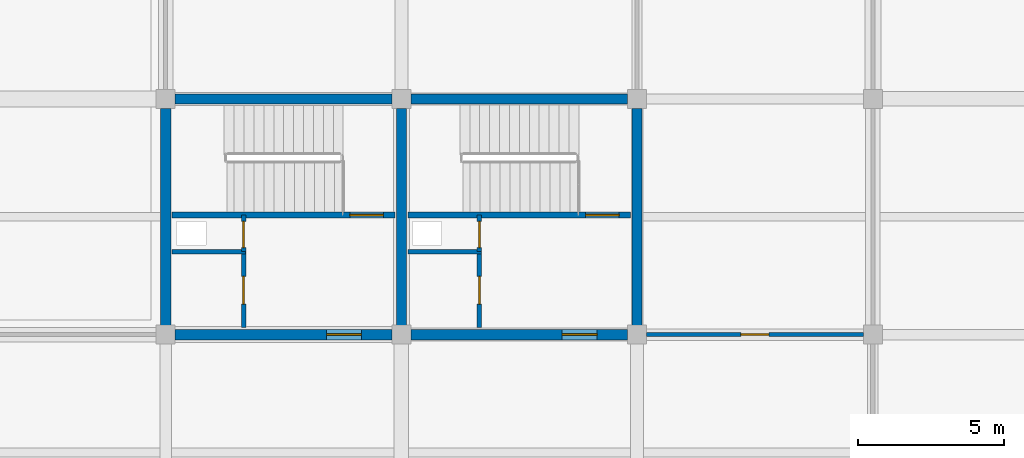
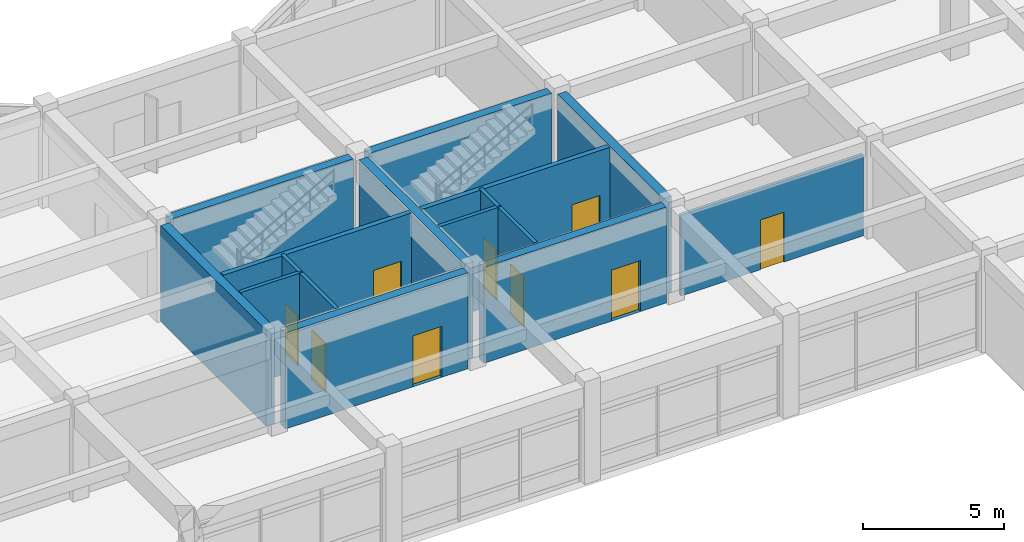
# One storey, part 68 of 89: 16 walls, 9 doors, 9 openings.
"""IFC4 building model written with IfcOpenShell, lengths in metres."""

from ifc_helpers import new_model, si_unit, direction, frame, frame_2d, origin, place, context, subcontext, project, spatial, rectangle, extrude, material, layer, layer_set, type_object, element, fill, save


model = new_model("IFC4")

# Units and contexts
model_context = context("Model", 3, precision=1e-05, world=origin(), true_north=direction((0.0, 1.0)))
body_context = subcontext(model_context, "Body", "Model", "MODEL_VIEW")
ifc_project = project(units=[si_unit("LENGTHUNIT", "METRE"), si_unit("AREAUNIT", "SQUARE_METRE"), si_unit("VOLUMEUNIT", "CUBIC_METRE"), si_unit("PLANEANGLEUNIT", "RADIAN"), si_unit("MASSUNIT", "GRAM", prefix="KILO")], contexts=[model_context])

# Site, building, storey
site_placement = place(None, origin())
site = spatial("IfcSite", under=ifc_project, at=site_placement, CompositionType="ELEMENT")
building_placement = place(site_placement, origin())
building = spatial("IfcBuilding", under=site, at=building_placement, Name="Vaudrelin Polytechnic", CompositionType="ELEMENT")
storey_placement = place(building_placement, frame((0.0, 0.0, 9.68994140625)))
storey = spatial("IfcBuildingStorey", under=building, at=storey_placement, Name="L02", CompositionType="ELEMENT", Elevation=9.68994140625)

# Wall, opening, door
ifc_material_1 = material(Name="Fire-rated steel-stud gypsum compartment wall", Category="steel")
ifc_layer_1 = layer(ifc_material_1, 0.14990234375)
ifc_layer_set_1 = layer_set([ifc_layer_1], Name="Fire-rated steel-stud gypsum compartment wall")
wall_type_1 = type_object("IfcWallType", Name="WAL-PW-FIRE60", PredefinedType="PARTITIONING", material=ifc_layer_set_1)
wall_1_placement = place(storey_placement, frame((116.080078125, 108.14990234375, 0.0), z_axis=(0.0, 0.0, 1.0), x_axis=(0.0, 1.0, 0.0)))
wall_1 = element("IfcWall", 1, at=wall_1_placement, inside=storey, type_object=wall_type_1, Name="Core C10 riser enclosure wall L02", PredefinedType="PARTITIONING", context=body_context, shape_type="SweptSolid", body=[
    extrude(rectangle(XDim=1.260009765625, YDim=0.14990234375, at=frame_2d((0.6298828125, 0.0))), origin(), (0.0, 0.0, 1.0), 4.14208984375),
])
opening_1_placement = place(wall_1_placement, frame((0.139892578125, 0.0, 0.0)))
opening_1 = element("IfcOpeningElement", 2, at=opening_1_placement, cuts=wall_1, Name="Opening D-L02-218", PredefinedType="OPENING", context=body_context, shape_type="SweptSolid", body=[
    extrude(rectangle(XDim=0.89990234375, YDim=2.14990234375, at=frame_2d((0.449951171875, 1.074951171875))), frame((0.0, 0.0849609375, 0.0), z_axis=(0.0, -1.0, 0.0), x_axis=(1.0, 0.0, 0.0)), (0.0, 0.0, 1.0), 0.169921875),
])
ifc_material_2 = material(Name="Pressed galvanised steel acoustic leaf", Category="steel")
door_type_1 = type_object("IfcDoorType", Name="DOR-ID-RSR1", OperationType="NOTDEFINED", PredefinedType="DOOR", material=ifc_material_2)
door_1_placement = place(opening_1_placement, origin())
door_1 = element("IfcDoor", 3, at=door_1_placement, inside=storey, type_object=door_type_1, Name="Core C10 riser access door L02", OperationType="SINGLE_SWING_RIGHT", OverallHeight=2.14990234375, OverallWidth=0.89990234375, PredefinedType="DOOR", context=body_context, shape_type="SweptSolid", body=[
    extrude(rectangle(XDim=0.89990234375, YDim=2.14990234375, at=frame_2d((0.449951171875, 1.074951171875))), frame((0.0, 0.02490234375, 0.0), z_axis=(0.0, -1.0, 0.0), x_axis=(1.0, 0.0, 0.0)), (0.0, 0.0, 1.0), 0.050048828125),
])
fill(opening_1, door_1)

# Wall
wall_2_placement = place(storey_placement, frame((113.6201171875, 108.14990234375, 0.0), z_axis=(0.0, 0.0, 1.0), x_axis=(1.0, 0.0, 0.0)))
element("IfcWall", 4, at=wall_2_placement, inside=storey, type_object=wall_type_1, Name="Core C10 riser south fire wall L02", PredefinedType="PARTITIONING", context=body_context, shape_type="SweptSolid", body=[
    extrude(rectangle(XDim=2.52978515625, YDim=0.14990234375, at=frame_2d((1.264892578125, 0.0))), origin(), (0.0, 0.0, 1.0), 4.14208984375),
])

# Wall, opening, door
wall_3_placement = place(storey_placement, frame((116.080078125, 105.550048828125, 0.0), z_axis=(0.0, 0.0, 1.0), x_axis=(0.0, 1.0, 0.0)))
wall_3 = element("IfcWall", 5, at=wall_3_placement, inside=storey, type_object=wall_type_1, Name="Core C10 custodial enclosure wall L02", PredefinedType="PARTITIONING", context=body_context, shape_type="SweptSolid", body=[
    extrude(rectangle(XDim=2.599853515625, YDim=0.14990234375, at=frame_2d((1.2998046875, 0.0))), origin(), (0.0, 0.0, 1.0), 4.14208984375),
])
opening_2_placement = place(wall_3_placement, frame((0.800048828125, 0.0, 0.0)))
opening_2 = element("IfcOpeningElement", 6, at=opening_2_placement, cuts=wall_3, Name="Opening D-L02-219", PredefinedType="OPENING", context=body_context, shape_type="SweptSolid", body=[
    extrude(rectangle(XDim=0.949951171875, YDim=2.14990234375, at=frame_2d((0.47509765625, 1.074951171875))), frame((0.0, 0.0849609375, 0.0), z_axis=(0.0, -1.0, 0.0), x_axis=(1.0, 0.0, 0.0)), (0.0, 0.0, 1.0), 0.169921875),
])
door_type_2 = type_object("IfcDoorType", Name="DOR-ID-STR1", OperationType="NOTDEFINED", PredefinedType="DOOR", material=ifc_material_2)
door_2_placement = place(opening_2_placement, origin())
door_2 = element("IfcDoor", 7, at=door_2_placement, inside=storey, type_object=door_type_2, Name="Core C10 custodial door L02", OperationType="SINGLE_SWING_RIGHT", OverallHeight=2.14990234375, OverallWidth=0.949951171875, PredefinedType="DOOR", context=body_context, shape_type="SweptSolid", body=[
    extrude(rectangle(XDim=0.949951171875, YDim=2.14990234375, at=frame_2d((0.47509765625, 1.074951171875))), frame((0.0, 0.02490234375, 0.0), z_axis=(0.0, -1.0, 0.0), x_axis=(1.0, 0.0, 0.0)), (0.0, 0.0, 1.0), 0.050048828125),
])
fill(opening_2, door_2)

wall_4_placement = place(storey_placement, frame((107.97998046875, 108.14990234375, 0.0), z_axis=(0.0, 0.0, 1.0), x_axis=(0.0, 1.0, 0.0)))
wall_4 = element("IfcWall", 8, at=wall_4_placement, inside=storey, type_object=wall_type_1, Name="Core C11 riser enclosure wall L02", PredefinedType="PARTITIONING", context=body_context, shape_type="SweptSolid", body=[
    extrude(rectangle(XDim=1.260009765625, YDim=0.14990234375, at=frame_2d((0.6298828125, 0.0))), origin(), (0.0, 0.0, 1.0), 4.14208984375),
])
opening_3_placement = place(wall_4_placement, frame((0.139892578125, 0.0, 0.0)))
opening_3 = element("IfcOpeningElement", 9, at=opening_3_placement, cuts=wall_4, Name="Opening D-L02-247", PredefinedType="OPENING", context=body_context, shape_type="SweptSolid", body=[
    extrude(rectangle(XDim=0.89990234375, YDim=2.14990234375, at=frame_2d((0.449951171875, 1.074951171875))), frame((0.0, 0.0849609375, 0.0), z_axis=(0.0, -1.0, 0.0), x_axis=(1.0, 0.0, 0.0)), (0.0, 0.0, 1.0), 0.169921875),
])
door_3_placement = place(opening_3_placement, origin())
door_3 = element("IfcDoor", 10, at=door_3_placement, inside=storey, type_object=door_type_1, Name="Core C11 riser access door L02", OperationType="SINGLE_SWING_RIGHT", OverallHeight=2.14990234375, OverallWidth=0.89990234375, PredefinedType="DOOR", context=body_context, shape_type="SweptSolid", body=[
    extrude(rectangle(XDim=0.89990234375, YDim=2.14990234375, at=frame_2d((0.449951171875, 1.074951171875))), frame((0.0, 0.02490234375, 0.0), z_axis=(0.0, -1.0, 0.0), x_axis=(1.0, 0.0, 0.0)), (0.0, 0.0, 1.0), 0.050048828125),
])
fill(opening_3, door_3)

# Wall
wall_5_placement = place(storey_placement, frame((105.52001953125, 108.14990234375, 0.0), z_axis=(0.0, 0.0, 1.0), x_axis=(1.0, 0.0, 0.0)))
element("IfcWall", 11, at=wall_5_placement, inside=storey, type_object=wall_type_1, Name="Core C11 riser south fire wall L02", PredefinedType="PARTITIONING", context=body_context, shape_type="SweptSolid", body=[
    extrude(rectangle(XDim=2.530029296875, YDim=0.14990234375, at=frame_2d((1.26513671875, 0.0))), origin(), (0.0, 0.0, 1.0), 4.14208984375),
])

# Wall, opening, door
wall_6_placement = place(storey_placement, frame((107.97998046875, 105.550048828125, 0.0), z_axis=(0.0, 0.0, 1.0), x_axis=(0.0, 1.0, 0.0)))
wall_6 = element("IfcWall", 12, at=wall_6_placement, inside=storey, type_object=wall_type_1, Name="Core C11 custodial enclosure wall L02", PredefinedType="PARTITIONING", context=body_context, shape_type="SweptSolid", body=[
    extrude(rectangle(XDim=2.599853515625, YDim=0.14990234375, at=frame_2d((1.2998046875, 0.0))), origin(), (0.0, 0.0, 1.0), 4.14208984375),
])
opening_4_placement = place(wall_6_placement, frame((0.800048828125, 0.0, 0.0)))
opening_4 = element("IfcOpeningElement", 13, at=opening_4_placement, cuts=wall_6, Name="Opening D-L02-248", PredefinedType="OPENING", context=body_context, shape_type="SweptSolid", body=[
    extrude(rectangle(XDim=0.949951171875, YDim=2.14990234375, at=frame_2d((0.47509765625, 1.074951171875))), frame((0.0, 0.0849609375, 0.0), z_axis=(0.0, -1.0, 0.0), x_axis=(1.0, 0.0, 0.0)), (0.0, 0.0, 1.0), 0.169921875),
])
door_4_placement = place(opening_4_placement, origin())
door_4 = element("IfcDoor", 14, at=door_4_placement, inside=storey, type_object=door_type_2, Name="Core C11 custodial door L02", OperationType="SINGLE_SWING_RIGHT", OverallHeight=2.14990234375, OverallWidth=0.949951171875, PredefinedType="DOOR", context=body_context, shape_type="SweptSolid", body=[
    extrude(rectangle(XDim=0.949951171875, YDim=2.14990234375, at=frame_2d((0.47509765625, 1.074951171875))), frame((0.0, 0.02490234375, 0.0), z_axis=(0.0, -1.0, 0.0), x_axis=(1.0, 0.0, 0.0)), (0.0, 0.0, 1.0), 0.050048828125),
])
fill(opening_4, door_4)

ifc_material_3 = material(Name="Acoustic steel-stud office & study room partition", Category="steel")
ifc_layer_2 = layer(ifc_material_3, 0.135009765625)
ifc_layer_set_2 = layer_set([ifc_layer_2], Name="Acoustic steel-stud office & study room partition")
wall_type_2 = type_object("IfcWallType", Name="WAL-PW-OFF135", PredefinedType="PARTITIONING", material=ifc_layer_set_2)
wall_7_placement = place(storey_placement, frame((121.822998046875, 105.300048828125, 0.0), z_axis=(0.0, 0.0, 1.0), x_axis=(1.0, 0.0, 0.0)))
wall_7 = element("IfcWall", 15, at=wall_7_placement, inside=storey, type_object=wall_type_2, Name="Partition L02-012 S", PredefinedType="PARTITIONING", context=body_context, shape_type="SweptSolid", body=[
    extrude(rectangle(XDim=7.4541015625, YDim=0.135009765625, at=frame_2d((3.72705078125, 0.0))), origin(), (0.0, 0.0, 1.0), 3.491943359375),
])
opening_5_placement = place(wall_7_placement, frame((3.2470703125, 0.0, 0.0)))
opening_5 = element("IfcOpeningElement", 16, at=opening_5_placement, cuts=wall_7, Name="Opening D-L02-479", PredefinedType="OPENING", context=body_context, shape_type="SweptSolid", body=[
    extrude(rectangle(XDim=0.9599609375, YDim=2.14990234375, at=frame_2d((0.47998046875, 1.074951171875))), frame((0.0, 0.07763671875, 0.0), z_axis=(0.0, -1.0, 0.0), x_axis=(1.0, 0.0, 0.0)), (0.0, 0.0, 1.0), 0.155029296875),
])
ifc_material_4 = material(Name="Solid-core birch veneer acoustic leaf", Category="wood")
door_type_3 = type_object("IfcDoorType", Name="DOR-ID-OFF2", OperationType="NOTDEFINED", PredefinedType="DOOR", material=ifc_material_4)
door_5_placement = place(opening_5_placement, origin())
door_5 = element("IfcDoor", 17, at=door_5_placement, inside=storey, type_object=door_type_3, Name="Library Special Collections Reading Room door L02-012", OperationType="SINGLE_SWING_LEFT", OverallHeight=2.14990234375, OverallWidth=0.9599609375, PredefinedType="DOOR", context=body_context, shape_type="SweptSolid", body=[
    extrude(rectangle(XDim=0.9599609375, YDim=2.14990234375, at=frame_2d((0.47998046875, 1.074951171875))), frame((0.0, 0.02490234375, 0.0), z_axis=(0.0, -1.0, 0.0), x_axis=(1.0, 0.0, 0.0)), (0.0, 0.0, 1.0), 0.050048828125),
])
fill(opening_5, door_5)

ifc_material_5 = material(Name="Concrete 40 MPa", Category="concrete")
ifc_layer_3 = layer(ifc_material_5, 0.199951171875)
ifc_layer_set_3 = layer_set([ifc_layer_3], Name="Concrete 40 MPa")
wall_type_3 = type_object("IfcWallType", Name="WAL-SW-CORE200", PredefinedType="SHEAR", material=ifc_layer_set_3)
wall_8_placement = place(storey_placement, frame((113.6201171875, 109.409912109375, 0.0), z_axis=(0.0, 0.0, 1.0), x_axis=(1.0, 0.0, 0.0)))
wall_8 = element("IfcWall", 18, at=wall_8_placement, inside=storey, type_object=wall_type_3, Name="Core C10 stair enclosure wall L02", PredefinedType="SHEAR", context=body_context, shape_type="SweptSolid", body=[
    extrude(rectangle(XDim=7.659912109375, YDim=0.199951171875, at=frame_2d((3.830078125, 0.0))), origin(), (0.0, 0.0, 1.0), 4.14208984375),
])
opening_6_placement = place(wall_8_placement, frame((6.110107421875, 0.0, 0.0)))
opening_6 = element("IfcOpeningElement", 19, at=opening_6_placement, cuts=wall_8, Name="Opening D-L02-217", PredefinedType="OPENING", context=body_context, shape_type="SweptSolid", body=[
    extrude(rectangle(XDim=1.14990234375, YDim=2.199951171875, at=frame_2d((0.574951171875, 1.10009765625))), frame((0.0, 0.10986328125, 0.0), z_axis=(0.0, -1.0, 0.0), x_axis=(1.0, 0.0, 0.0)), (0.0, 0.0, 1.0), 0.219970703125),
])
door_type_4 = type_object("IfcDoorType", Name="DOR-ID-ST1", OperationType="NOTDEFINED", PredefinedType="DOOR", material=ifc_material_2)
door_6_placement = place(opening_6_placement, origin())
door_6 = element("IfcDoor", 20, at=door_6_placement, inside=storey, type_object=door_type_4, Name="Core C10 exit stair door L02", OperationType="SINGLE_SWING_LEFT", OverallHeight=2.199951171875, OverallWidth=1.14990234375, PredefinedType="DOOR", context=body_context, shape_type="SweptSolid", body=[
    extrude(rectangle(XDim=1.14990234375, YDim=2.199951171875, at=frame_2d((0.574951171875, 1.10009765625))), frame((0.0, 0.02490234375, 0.0), z_axis=(0.0, -1.0, 0.0), x_axis=(1.0, 0.0, 0.0)), (0.0, 0.0, 1.0), 0.050048828125),
])
fill(opening_6, door_6)

wall_9_placement = place(storey_placement, frame((105.52001953125, 109.409912109375, 0.0), z_axis=(0.0, 0.0, 1.0), x_axis=(1.0, 0.0, 0.0)))
wall_9 = element("IfcWall", 21, at=wall_9_placement, inside=storey, type_object=wall_type_3, Name="Core C11 stair enclosure wall L02", PredefinedType="SHEAR", context=body_context, shape_type="SweptSolid", body=[
    extrude(rectangle(XDim=7.659912109375, YDim=0.199951171875, at=frame_2d((3.830078125, 0.0))), origin(), (0.0, 0.0, 1.0), 4.14208984375),
])
opening_7_placement = place(wall_9_placement, frame((6.110107421875, 0.0, 0.0)))
opening_7 = element("IfcOpeningElement", 22, at=opening_7_placement, cuts=wall_9, Name="Opening D-L02-246", PredefinedType="OPENING", context=body_context, shape_type="SweptSolid", body=[
    extrude(rectangle(XDim=1.14990234375, YDim=2.199951171875, at=frame_2d((0.574951171875, 1.10009765625))), frame((0.0, 0.10986328125, 0.0), z_axis=(0.0, -1.0, 0.0), x_axis=(1.0, 0.0, 0.0)), (0.0, 0.0, 1.0), 0.219970703125),
])
door_7_placement = place(opening_7_placement, origin())
door_7 = element("IfcDoor", 23, at=door_7_placement, inside=storey, type_object=door_type_4, Name="Core C11 exit stair door L02", OperationType="SINGLE_SWING_LEFT", OverallHeight=2.199951171875, OverallWidth=1.14990234375, PredefinedType="DOOR", context=body_context, shape_type="SweptSolid", body=[
    extrude(rectangle(XDim=1.14990234375, YDim=2.199951171875, at=frame_2d((0.574951171875, 1.10009765625))), frame((0.0, 0.02490234375, 0.0), z_axis=(0.0, -1.0, 0.0), x_axis=(1.0, 0.0, 0.0)), (0.0, 0.0, 1.0), 0.050048828125),
])
fill(opening_7, door_7)

# Walls
ifc_material_6 = material(Name="Concrete 50 MPa", Category="concrete")
ifc_layer_4 = layer(ifc_material_6, 0.35009765625)
ifc_layer_set_4 = layer_set([ifc_layer_4], Name="Concrete 50 MPa")
wall_type_4 = type_object("IfcWallType", Name="WAL-SW-CORE350", PredefinedType="SHEAR", material=ifc_layer_set_4)
wall_10_placement = place(storey_placement, frame((113.722900390625, 113.39990234375, 0.0), z_axis=(0.0, 0.0, 1.0), x_axis=(1.0, 0.0, 0.0)))
element("IfcWall", 24, at=wall_10_placement, inside=storey, type_object=wall_type_4, Name="Core C10 N shear wall L02", PredefinedType="SHEAR", context=body_context, shape_type="SweptSolid", body=[
    extrude(rectangle(XDim=7.4541015625, YDim=0.35009765625, at=frame_2d((3.72705078125, 0.0))), origin(), (0.0, 0.0, 1.0), 4.14208984375),
])
for number, where, z_axis, x_axis, name in (
    (25, (113.39990234375, 105.623046875, 0.0), (0.0, 0.0, 1.0), (0.0, 1.0, 0.0), "Core C10 W shear wall L02"),
    (26, (121.5, 105.623046875, 0.0), (0.0, 0.0, 1.0), (0.0, 1.0, 0.0), "Core C10 E shear wall L02"),
):
    element("IfcWall", number, at=place(storey_placement, frame(where, z_axis=z_axis, x_axis=x_axis)), inside=storey, type_object=wall_type_4, Name=name, PredefinedType="SHEAR", context=body_context, shape_type="SweptSolid", body=[
        extrude(rectangle(XDim=7.453857421875, YDim=0.35009765625, at=frame_2d((3.72705078125, 0.0))), origin(), (0.0, 0.0, 1.0), 4.14208984375),
    ])

# Wall, opening, door
wall_11_placement = place(storey_placement, frame((113.722900390625, 105.300048828125, 0.0), z_axis=(0.0, 0.0, 1.0), x_axis=(1.0, 0.0, 0.0)))
wall_11 = element("IfcWall", 27, at=wall_11_placement, inside=storey, type_object=wall_type_4, Name="Core C10 S shear wall L02", PredefinedType="SHEAR", context=body_context, shape_type="SweptSolid", body=[
    extrude(rectangle(XDim=7.4541015625, YDim=0.35009765625, at=frame_2d((3.72705078125, 0.0))), origin(), (0.0, 0.0, 1.0), 4.14208984375),
])
opening_8_placement = place(wall_11_placement, frame((5.2041015625, 0.0, 0.0)))
opening_8 = element("IfcOpeningElement", 28, at=opening_8_placement, cuts=wall_11, Name="Opening D-L02-216", PredefinedType="OPENING", context=body_context, shape_type="SweptSolid", body=[
    extrude(rectangle(XDim=1.199951171875, YDim=2.199951171875, at=frame_2d((0.60009765625, 1.10009765625))), frame((0.0, 0.18505859375, 0.0), z_axis=(0.0, -1.0, 0.0), x_axis=(1.0, 0.0, 0.0)), (0.0, 0.0, 1.0), 0.3701171875),
])
door_type_5 = type_object("IfcDoorType", Name="DOR-ID-LB1", OperationType="NOTDEFINED", PredefinedType="DOOR", material=ifc_material_2)
door_8_placement = place(opening_8_placement, origin())
door_8 = element("IfcDoor", 29, at=door_8_placement, inside=storey, type_object=door_type_5, Name="Core C10 lobby fire door L02", OperationType="SINGLE_SWING_LEFT", OverallHeight=2.199951171875, OverallWidth=1.199951171875, PredefinedType="DOOR", context=body_context, shape_type="SweptSolid", body=[
    extrude(rectangle(XDim=1.199951171875, YDim=2.199951171875, at=frame_2d((0.60009765625, 1.10009765625))), frame((0.0, 0.02490234375, 0.0), z_axis=(0.0, -1.0, 0.0), x_axis=(1.0, 0.0, 0.0)), (0.0, 0.0, 1.0), 0.050048828125),
])
fill(opening_8, door_8)

# Walls
for number, where, z_axis, x_axis, name in (
    (30, (105.623046875, 113.39990234375, 0.0), (0.0, 0.0, 1.0), (1.0, 0.0, 0.0), "Core C11 N shear wall L02"),
    (31, (105.300048828125, 105.623046875, 0.0), (0.0, 0.0, 1.0), (0.0, 1.0, 0.0), "Core C11 W shear wall L02"),
):
    element("IfcWall", number, at=place(storey_placement, frame(where, z_axis=z_axis, x_axis=x_axis)), inside=storey, type_object=wall_type_4, Name=name, PredefinedType="SHEAR", context=body_context, shape_type="SweptSolid", body=[
        extrude(rectangle(XDim=7.453857421875, YDim=0.35009765625, at=frame_2d((3.72705078125, 0.0))), origin(), (0.0, 0.0, 1.0), 4.14208984375),
    ])

# Wall, opening, door
wall_12_placement = place(storey_placement, frame((105.623046875, 105.300048828125, 0.0), z_axis=(0.0, 0.0, 1.0), x_axis=(1.0, 0.0, 0.0)))
wall_12 = element("IfcWall", 32, at=wall_12_placement, inside=storey, type_object=wall_type_4, Name="Core C11 S shear wall L02", PredefinedType="SHEAR", context=body_context, shape_type="SweptSolid", body=[
    extrude(rectangle(XDim=7.453857421875, YDim=0.35009765625, at=frame_2d((3.72705078125, 0.0))), origin(), (0.0, 0.0, 1.0), 4.14208984375),
])
opening_9_placement = place(wall_12_placement, frame((5.2041015625, 0.0, 0.0)))
opening_9 = element("IfcOpeningElement", 33, at=opening_9_placement, cuts=wall_12, Name="Opening D-L02-245", PredefinedType="OPENING", context=body_context, shape_type="SweptSolid", body=[
    extrude(rectangle(XDim=1.199951171875, YDim=2.199951171875, at=frame_2d((0.60009765625, 1.10009765625))), frame((0.0, 0.18505859375, 0.0), z_axis=(0.0, -1.0, 0.0), x_axis=(1.0, 0.0, 0.0)), (0.0, 0.0, 1.0), 0.3701171875),
])
door_9_placement = place(opening_9_placement, origin())
door_9 = element("IfcDoor", 34, at=door_9_placement, inside=storey, type_object=door_type_5, Name="Core C11 lobby fire door L02", OperationType="SINGLE_SWING_RIGHT", OverallHeight=2.199951171875, OverallWidth=1.199951171875, PredefinedType="DOOR", context=body_context, shape_type="SweptSolid", body=[
    extrude(rectangle(XDim=1.199951171875, YDim=2.199951171875, at=frame_2d((0.60009765625, 1.10009765625))), frame((0.0, 0.02490234375, 0.0), z_axis=(0.0, -1.0, 0.0), x_axis=(1.0, 0.0, 0.0)), (0.0, 0.0, 1.0), 0.050048828125),
])
fill(opening_9, door_9)

save(model, "model.ifc")
